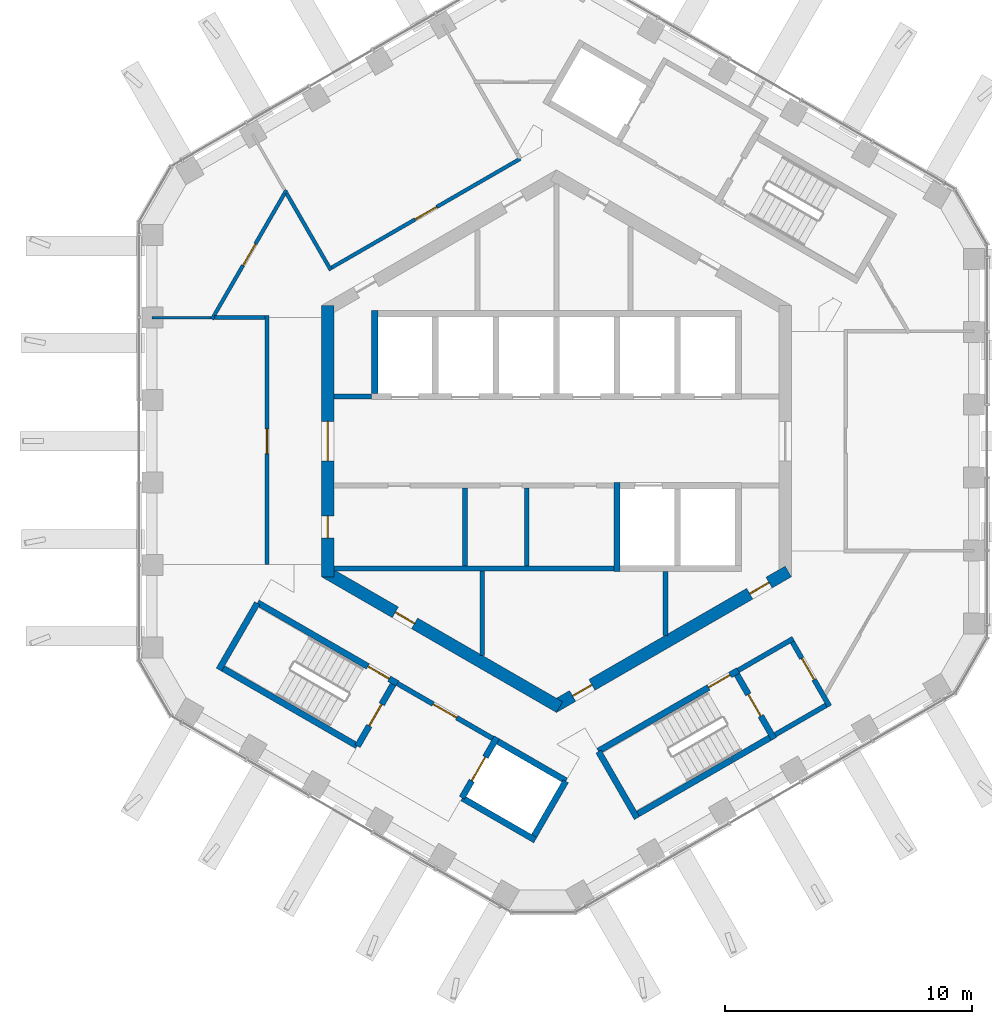
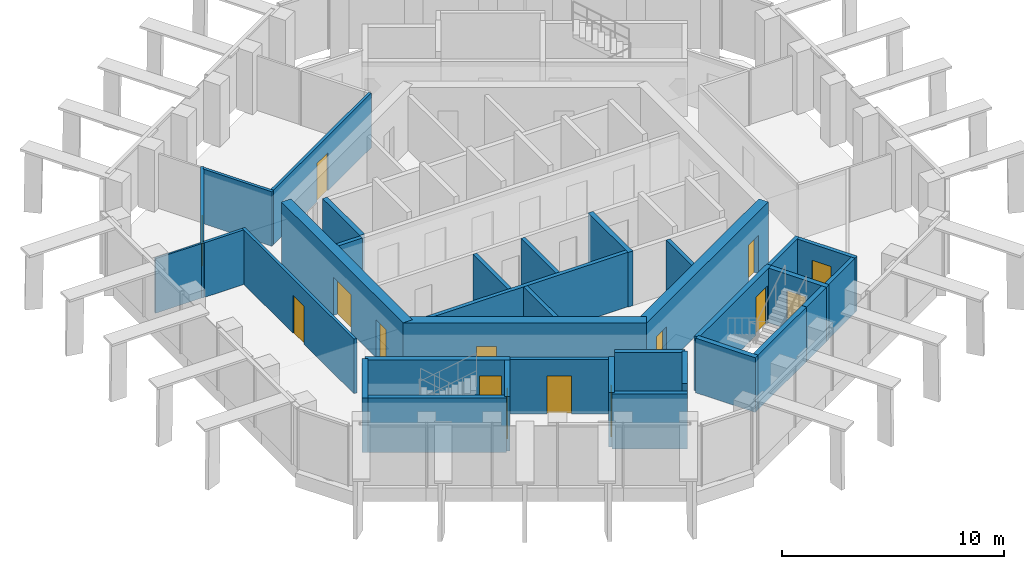
# One storey, part 11 of 17: 34 walls, 15 doors, 15 openings.
"""IFC4 building model written with IfcOpenShell, lengths in metres."""

import ifcopenshell
import ifcopenshell.guid

model = None  # the IFC model being written
_history = None  # IfcOwnerHistory: only IFC2X3 demands one
_inside = {}  # id of a spatial element -> (the spatial element, [elements in it])
_under = {}  # id of a project, library or spatial element -> (it, [spatial elements below it])
_declared = {}  # id of a project -> (the project, [libraries it declares])
_typed = {}  # id of a type object -> (the type object, [elements of that type])
_made_of = {}  # id of a material, layer set ... -> (it, [elements and type objects made of it])


def new_model(schema):
    """Start an empty IFC model of exactly this schema.

    Asked for "IFC4X3", IfcOpenShell would pick the latest addendum, in which some entities
    have other attributes; the version numbers below select the first issue.
    IFC2X3 requires an IfcOwnerHistory on every rooted entity: one is made here for all.
    """
    global model, _history
    if schema == "IFC4X3":
        model = ifcopenshell.file(schema_version=(4, 3, 0, 0))
    else:
        model = ifcopenshell.file(schema=schema)
    _inside.clear()
    _under.clear()
    _declared.clear()
    _typed.clear()
    _made_of.clear()
    _history = None
    if model.schema == "IFC2X3":
        org = make("IfcOrganization", Name="unknown")
        user = make(
            "IfcPersonAndOrganization",
            ThePerson=make("IfcPerson", FamilyName="unknown"),
            TheOrganization=org,
        )
        app = make(
            "IfcApplication",
            ApplicationDeveloper=org,
            Version="unknown",
            ApplicationFullName="unknown",
            ApplicationIdentifier="unknown",
        )
        _history = make(
            "IfcOwnerHistory",
            OwningUser=user,
            OwningApplication=app,
            ChangeAction="ADDED",
            CreationDate=0,
        )
    return model


def make(cls, **values):
    """One entity of the class cls with the attributes given. An attribute that is None is left unset."""
    return model.create_entity(
        cls, **{name: value for name, value in values.items() if value is not None}
    )


def rooted(cls, **values):
    """An entity with a GlobalId (a new one), such as an element, a storey or a relation."""
    return make(cls, GlobalId=ifcopenshell.guid.new(), OwnerHistory=_history, **values)


def si_unit(unit_type, name, prefix=None):
    """IfcSIUnit, for example si_unit("LENGTHUNIT", "METRE", prefix="MILLI")."""
    return make("IfcSIUnit", UnitType=unit_type, Prefix=prefix, Name=name)


def assignment(units):
    """IfcUnitAssignment: the units of a project."""
    return None if units is None else make("IfcUnitAssignment", Units=units)


def point(xyz):
    """IfcCartesianPoint."""
    return None if xyz is None else make("IfcCartesianPoint", Coordinates=xyz)


def direction(xyz):
    """IfcDirection."""
    return None if xyz is None else make("IfcDirection", DirectionRatios=xyz)


def frame(location, z_axis=None, x_axis=None):
    """IfcAxis2Placement3D, a coordinate frame: its origin and axes. An axis left out is left unset."""
    return make(
        "IfcAxis2Placement3D",
        Location=point(location),
        Axis=direction(z_axis),
        RefDirection=direction(x_axis),
    )


def frame_2d(location, x_axis=None):
    """IfcAxis2Placement2D, a coordinate frame in the plane: its origin and x axis."""
    return make(
        "IfcAxis2Placement2D", Location=point(location), RefDirection=direction(x_axis)
    )


def origin():
    """The frame at (0, 0, 0) with its axes left unset."""
    return frame((0.0, 0.0, 0.0))


def place(relative_to, where):
    """IfcLocalPlacement: puts the frame where relative to a parent placement (None: the world)."""
    return make(
        "IfcLocalPlacement", PlacementRelTo=relative_to, RelativePlacement=where
    )


def context(
    kind, dimensions, precision=None, world=None, true_north=None, identifier=None
):
    """IfcGeometricRepresentationContext, for example the 3D "Model" context."""
    return make(
        "IfcGeometricRepresentationContext",
        ContextIdentifier=identifier,
        ContextType=kind,
        CoordinateSpaceDimension=dimensions,
        Precision=precision,
        WorldCoordinateSystem=world,
        TrueNorth=true_north,
    )


def subcontext(parent, identifier, kind, view, scale=None):
    """IfcGeometricRepresentationSubContext, for example "Body" below "Model"."""
    return make(
        "IfcGeometricRepresentationSubContext",
        ContextIdentifier=identifier,
        ContextType=kind,
        ParentContext=parent,
        TargetScale=scale,
        TargetView=view,
    )


def project(units=None, contexts=None):
    """IfcProject with its units and contexts."""
    return rooted(
        "IfcProject",
        Name="project",
        RepresentationContexts=contexts,
        UnitsInContext=assignment(units),
    )


def spatial(cls, under=None, at=None, **own):
    """A site, building, storey or space (cls), placed at a placement, below another one or the project."""
    s = rooted(cls, ObjectPlacement=at, **own)
    if under is not None:
        _under.setdefault(under.id(), (under, []))[1].append(s)
    return s


def profile(cls, at=None, kind="AREA", **sizes):
    """A parametric profile (cls). Its sizes go by their IFC names, for example OverallWidth=200.0."""
    return make(cls, ProfileType=kind, Position=at, **sizes)


def rectangle(**sizes):
    """IfcRectangleProfileDef."""
    return profile("IfcRectangleProfileDef", **sizes)


def extrude(swept, where, along, depth):
    """IfcExtrudedAreaSolid: the profile swept, set in the frame where, extruded along a direction by depth."""
    return make(
        "IfcExtrudedAreaSolid",
        SweptArea=swept,
        Position=where,
        ExtrudedDirection=direction(along),
        Depth=depth,
    )


def shape(context_of_items, identifier, shape_type, items):
    """IfcShapeRepresentation: the items that make up one representation, for example the "Body"."""
    return make(
        "IfcShapeRepresentation",
        ContextOfItems=context_of_items,
        RepresentationIdentifier=identifier,
        RepresentationType=shape_type,
        Items=items,
    )


def material(Name=None, Category=None):
    """IfcMaterial."""
    return make("IfcMaterial", Name=Name, Category=Category)


def layer(
    of_material, thickness, ventilated=None, Name=None, Category=None, Priority=None
):
    """IfcMaterialLayer: one layer of a wall or slab, of a material (None: an air gap)."""
    return make(
        "IfcMaterialLayer",
        Material=of_material,
        LayerThickness=thickness,
        IsVentilated=ventilated,
        Name=Name,
        Category=Category,
        Priority=Priority,
    )


def layer_set(layers, Name=None):
    """IfcMaterialLayerSet."""
    return make("IfcMaterialLayerSet", MaterialLayers=layers, LayerSetName=Name)


def made_of(thing, what):
    """Note that an element or type object is made of a material, layer set ...; save() writes the relation."""
    if what is not None:
        _made_of.setdefault(what.id(), (what, []))[1].append(thing)
    return thing


def type_object(cls, material=None, **own):
    """A type object (cls), such as IfcWallType, which elements share."""
    return made_of(rooted(cls, **own), material)


def element(
    cls,
    number,
    at=None,
    inside=None,
    cuts=None,
    type_object=None,
    material=None,
    context=None,
    identifier="Body",
    shape_type=None,
    held_by="IfcProductDefinitionShape",
    body=None,
    shapes=None,
    **own,
):
    """One element of the class cls, such as IfcWall. Its Tag is "e" and its number.

    at: its placement. inside: the storey or other place that contains it. cuts: it is an
    opening in that element (IfcRelVoidsElement). A single representation is given by context,
    identifier, shape_type and body (its items); several are given by shapes. held_by: the class
    of the entity that holds the representations. save() writes the other relations.
    """
    e = rooted(cls, Tag="e%d" % number, ObjectPlacement=at, **own)
    if body is not None:
        shapes = [shape(context, identifier, shape_type, body)]
    if shapes is not None:
        e.Representation = make(held_by, Representations=shapes)
    if inside is not None:
        _inside.setdefault(inside.id(), (inside, []))[1].append(e)
    if cuts is not None:
        rooted(
            "IfcRelVoidsElement", RelatingBuildingElement=cuts, RelatedOpeningElement=e
        )
    if type_object is not None:
        _typed.setdefault(type_object.id(), (type_object, []))[1].append(e)
    return made_of(e, material)


def fill(opening, filler):
    """IfcRelFillsElement: the door or window that sits in an opening."""
    return rooted(
        "IfcRelFillsElement",
        RelatingOpeningElement=opening,
        RelatedBuildingElement=filler,
    )


def aggregate(whole, parts):
    """IfcRelAggregates: a whole, such as a stair, and the parts it consists of."""
    return rooted("IfcRelAggregates", RelatingObject=whole, RelatedObjects=parts)


def save(model, path):
    """Write the relations noted so far, then the file.

    IfcRelAggregates (storeys below a building ...), IfcRelContainedInSpatialStructure (elements
    in a storey), IfcRelDefinesByType, IfcRelAssociatesMaterial and IfcRelDeclares: one each for
    every whole, place, type object, material and project.
    """
    for whole, parts in _under.values():
        aggregate(whole, parts)
    for where, things in _inside.values():
        rooted(
            "IfcRelContainedInSpatialStructure",
            RelatedElements=things,
            RelatingStructure=where,
        )
    for kind, things in _typed.values():
        rooted("IfcRelDefinesByType", RelatedObjects=things, RelatingType=kind)
    for what, things in _made_of.values():
        rooted("IfcRelAssociatesMaterial", RelatedObjects=things, RelatingMaterial=what)
    for by, libraries in _declared.values():
        rooted("IfcRelDeclares", RelatingContext=by, RelatedDefinitions=libraries)
    model.write(path)


model = new_model("IFC4")

# Units and contexts
model_context = context("Model", 3, precision=1e-05, world=origin(), true_north=direction((0.0, 1.0)))
body_context = subcontext(model_context, "Body", "Model", "MODEL_VIEW")
ifc_project = project(units=[si_unit("LENGTHUNIT", "METRE"), si_unit("AREAUNIT", "SQUARE_METRE"), si_unit("VOLUMEUNIT", "CUBIC_METRE"), si_unit("PLANEANGLEUNIT", "RADIAN"), si_unit("MASSUNIT", "GRAM", prefix="KILO")], contexts=[model_context])

# Site, building, storey
site_placement = place(None, origin())
site = spatial("IfcSite", under=ifc_project, at=site_placement, CompositionType="ELEMENT")
building_placement = place(site_placement, origin())
building = spatial("IfcBuilding", under=site, at=building_placement, Name="Ayvan Gate Tower", CompositionType="ELEMENT")
storey_placement = place(building_placement, frame((0.0, 0.0, 249.5)))
storey = spatial("IfcBuildingStorey", under=building, at=storey_placement, Name="L67", CompositionType="ELEMENT", Elevation=249.5)

# Wall, openings, doors
ifc_material_1 = material(Name="Concrete C60/75", Category="concrete")
ifc_layer_1 = layer(ifc_material_1, 0.5)
ifc_layer_set_1 = layer_set([ifc_layer_1], Name="Concrete C60/75")
wall_type_1 = type_object("IfcWallType", Name="Core wall 500 C60/75", PredefinedType="SHEAR", material=ifc_layer_set_1)
wall_1_placement = place(storey_placement, frame((-9.25, 5.48486328125, 0.0), z_axis=(0.0, 0.0, 1.0), x_axis=(0.0, -1.0, 0.0)))
wall_1 = element("IfcWall", 1, at=wall_1_placement, inside=storey, type_object=wall_type_1, Name="CORE-L67-3", PredefinedType="SHEAR", context=body_context, shape_type="SweptSolid", body=[
    extrude(rectangle(XDim=10.9697265625, YDim=0.5, at=frame_2d((5.48486328125, 0.0))), origin(), (0.0, 0.0, 1.0), 3.39990234375),
])
opening_1_placement = place(wall_1_placement, frame((8.509765625, 0.0, 0.0)))
opening_1 = element("IfcOpeningElement", 2, at=opening_1_placement, cuts=wall_1, Name="Opening L67-D36", PredefinedType="OPENING", context=body_context, shape_type="SweptSolid", body=[
    extrude(rectangle(XDim=0.89990234375, YDim=2.10009765625, at=frame_2d((0.449951171875, 1.050048828125))), frame((0.0, 0.260009765625, 0.0), z_axis=(0.0, -1.0, 0.0), x_axis=(1.0, 0.0, 0.0)), (0.0, 0.0, 1.0), 0.52001953125),
])
opening_2_placement = place(wall_1_placement, frame((4.684814453125, 0.0, 0.0)))
opening_2 = element("IfcOpeningElement", 3, at=opening_2_placement, cuts=wall_1, Name="Opening L67-D38", PredefinedType="OPENING", context=body_context, shape_type="SweptSolid", body=[
    extrude(rectangle(XDim=1.60009765625, YDim=2.10009765625, at=frame_2d((0.800048828125, 1.050048828125))), frame((0.0, 0.260009765625, 0.0), z_axis=(0.0, -1.0, 0.0), x_axis=(1.0, 0.0, 0.0)), (0.0, 0.0, 1.0), 0.52001953125),
])
ifc_material_2 = material(Name="Timber door leaf", Category="wood")
door_type_1 = type_object("IfcDoorType", Name="DT-1600", OperationType="NOTDEFINED", PredefinedType="DOOR", material=ifc_material_2)
door_1_placement = place(opening_2_placement, origin())
door_1 = element("IfcDoor", 4, at=door_1_placement, inside=storey, type_object=door_type_1, Name="CD-L67-38", OperationType="SINGLE_SWING_LEFT", OverallHeight=2.10009765625, OverallWidth=1.60009765625, PredefinedType="DOOR", context=body_context, shape_type="SweptSolid", body=[
    extrude(rectangle(XDim=1.60009765625, YDim=2.10009765625, at=frame_2d((0.800048828125, 1.050048828125))), frame((0.0, 0.02490234375, 0.0), z_axis=(0.0, -1.0, 0.0), x_axis=(1.0, 0.0, 0.0)), (0.0, 0.0, 1.0), 0.050048828125),
])
fill(opening_2, door_1)
door_type_2 = type_object("IfcDoorType", Name="DT-900", OperationType="NOTDEFINED", PredefinedType="DOOR", material=ifc_material_2)
door_2_placement = place(opening_1_placement, origin())
door_2 = element("IfcDoor", 5, at=door_2_placement, inside=storey, type_object=door_type_2, Name="CD-L67-36", OperationType="SINGLE_SWING_LEFT", OverallHeight=2.10009765625, OverallWidth=0.89990234375, PredefinedType="DOOR", context=body_context, shape_type="SweptSolid", body=[
    extrude(rectangle(XDim=0.89990234375, YDim=2.10009765625, at=frame_2d((0.449951171875, 1.050048828125))), frame((0.0, 0.02490234375, 0.0), z_axis=(0.0, -1.0, 0.0), x_axis=(1.0, 0.0, 0.0)), (0.0, 0.0, 1.0), 0.050048828125),
])
fill(opening_1, door_2)

# Wall, opening, door
wall_2_placement = place(storey_placement, frame((-9.375, -5.268310546875, 0.0), z_axis=(0.0, 0.0, 1.0), x_axis=(0.866023993627, -0.500002442456, 0.0)))
wall_2 = element("IfcWall", 6, at=wall_2_placement, inside=storey, type_object=wall_type_1, Name="CORE-L67-4", PredefinedType="SHEAR", context=body_context, shape_type="SweptSolid", body=[
    extrude(rectangle(XDim=10.9697265625, YDim=0.5, at=frame_2d((5.48486328125, 0.0))), origin(), (0.0, 0.0, 1.0), 3.39990234375),
])
opening_3_placement = place(wall_2_placement, frame((3.303466796875, 0.0, 0.0)))
opening_3 = element("IfcOpeningElement", 7, at=opening_3_placement, cuts=wall_2, Name="Opening L67-D33", PredefinedType="OPENING", context=body_context, shape_type="SweptSolid", body=[
    extrude(rectangle(XDim=0.89990234375, YDim=2.10009765625, at=frame_2d((0.449951171875, 1.050048828125))), frame((0.0, 0.260009765625, 0.0), z_axis=(0.0, -1.0, 0.0), x_axis=(1.0, 0.0, 0.0)), (0.0, 0.0, 1.0), 0.52001953125),
])
door_3_placement = place(opening_3_placement, origin())
door_3 = element("IfcDoor", 8, at=door_3_placement, inside=storey, type_object=door_type_2, Name="CD-L67-33", OperationType="SINGLE_SWING_RIGHT", OverallHeight=2.10009765625, OverallWidth=0.89990234375, PredefinedType="DOOR", context=body_context, shape_type="SweptSolid", body=[
    extrude(rectangle(XDim=0.89990234375, YDim=2.10009765625, at=frame_2d((0.449951171875, 1.050048828125))), frame((0.0, 0.02490234375, 0.0), z_axis=(0.0, -1.0, 0.0), x_axis=(1.0, 0.0, 0.0)), (0.0, 0.0, 1.0), 0.050048828125),
])
fill(opening_3, door_3)

# Wall, openings, doors
wall_3_placement = place(storey_placement, frame((-0.125, -10.753173828125, 0.0), z_axis=(0.0, 0.0, 1.0), x_axis=(0.866023993627, 0.500002442456, 0.0)))
wall_3 = element("IfcWall", 9, at=wall_3_placement, inside=storey, type_object=wall_type_1, Name="CORE-L67-5", PredefinedType="SHEAR", context=body_context, shape_type="SweptSolid", body=[
    extrude(rectangle(XDim=10.9697265625, YDim=0.5, at=frame_2d((5.48486328125, 0.0))), origin(), (0.0, 0.0, 1.0), 3.39990234375),
])
opening_4_placement = place(wall_3_placement, frame((0.89990234375, 0.0, 0.0)))
opening_4 = element("IfcOpeningElement", 10, at=opening_4_placement, cuts=wall_3, Name="Opening L67-D34", PredefinedType="OPENING", context=body_context, shape_type="SweptSolid", body=[
    extrude(rectangle(XDim=0.89990234375, YDim=2.10009765625, at=frame_2d((0.449951171875, 1.050048828125))), frame((0.0, 0.260009765625, 0.0), z_axis=(0.0, -1.0, 0.0), x_axis=(1.0, 0.0, 0.0)), (0.0, 0.0, 1.0), 0.52001953125),
])
opening_5_placement = place(wall_3_placement, frame((9.169677734375, 0.0, 0.0)))
opening_5 = element("IfcOpeningElement", 11, at=opening_5_placement, cuts=wall_3, Name="Opening L67-D35", PredefinedType="OPENING", context=body_context, shape_type="SweptSolid", body=[
    extrude(rectangle(XDim=0.89990234375, YDim=2.10009765625, at=frame_2d((0.449951171875, 1.050048828125))), frame((0.0, 0.260009765625, 0.0), z_axis=(0.0, -1.0, 0.0), x_axis=(1.0, 0.0, 0.0)), (0.0, 0.0, 1.0), 0.52001953125),
])
door_4_placement = place(opening_4_placement, origin())
door_4 = element("IfcDoor", 12, at=door_4_placement, inside=storey, type_object=door_type_2, Name="CD-L67-34", OperationType="SINGLE_SWING_LEFT", OverallHeight=2.10009765625, OverallWidth=0.89990234375, PredefinedType="DOOR", context=body_context, shape_type="SweptSolid", body=[
    extrude(rectangle(XDim=0.89990234375, YDim=2.10009765625, at=frame_2d((0.449951171875, 1.050048828125))), frame((0.0, 0.02490234375, 0.0), z_axis=(0.0, -1.0, 0.0), x_axis=(1.0, 0.0, 0.0)), (0.0, 0.0, 1.0), 0.050048828125),
])
fill(opening_4, door_4)
door_5_placement = place(opening_5_placement, origin())
door_5 = element("IfcDoor", 13, at=door_5_placement, inside=storey, type_object=door_type_2, Name="CD-L67-35", OperationType="SINGLE_SWING_RIGHT", OverallHeight=2.10009765625, OverallWidth=0.89990234375, PredefinedType="DOOR", context=body_context, shape_type="SweptSolid", body=[
    extrude(rectangle(XDim=0.89990234375, YDim=2.10009765625, at=frame_2d((0.449951171875, 1.050048828125))), frame((0.0, 0.02490234375, 0.0), z_axis=(0.0, -1.0, 0.0), x_axis=(1.0, 0.0, 0.0)), (0.0, 0.0, 1.0), 0.050048828125),
])
fill(opening_5, door_5)

# Wall, opening, door
ifc_material_3 = material(Name="Plasterboard on steel stud", Category="steel")
ifc_layer_2 = layer(ifc_material_3, 0.14990234375)
ifc_layer_set_2 = layer_set([ifc_layer_2], Name="Plasterboard on steel stud")
wall_type_2 = type_object("IfcWallType", Name="WT-CORR-150", PredefinedType="PARTITIONING", material=ifc_layer_set_2)
wall_4_placement = place(storey_placement, frame((-13.927978515625, 4.930908203125, 0.0), z_axis=(0.0, 0.0, 1.0), x_axis=(0.499980697609, 0.866036547738, 0.0)))
wall_4 = element("IfcWall", 14, at=wall_4_placement, inside=storey, type_object=wall_type_2, Name="IW-L67-001", PredefinedType="PARTITIONING", context=body_context, shape_type="SweptSolid", body=[
    extrude(rectangle(XDim=6.028564453125, YDim=0.14990234375, at=frame_2d((3.01416015625, 0.0))), origin(), (0.0, 0.0, 1.0), 3.0),
])
opening_6_placement = place(wall_4_placement, frame((2.514404296875, 0.0, 0.0)))
opening_6 = element("IfcOpeningElement", 15, at=opening_6_placement, cuts=wall_4, Name="Opening L67-D25", PredefinedType="OPENING", context=body_context, shape_type="SweptSolid", body=[
    extrude(rectangle(XDim=1.0, YDim=2.10009765625, at=frame_2d((0.5, 1.050048828125))), frame((0.0, 0.0849609375, 0.0), z_axis=(0.0, -1.0, 0.0), x_axis=(1.0, 0.0, 0.0)), (0.0, 0.0, 1.0), 0.169921875),
])
door_type_3 = type_object("IfcDoorType", Name="DT-1000", OperationType="NOTDEFINED", PredefinedType="DOOR", material=ifc_material_2)
door_6_placement = place(opening_6_placement, origin())
door_6 = element("IfcDoor", 16, at=door_6_placement, inside=storey, type_object=door_type_3, Name="ID-L67-025", OperationType="SINGLE_SWING_RIGHT", OverallHeight=2.10009765625, OverallWidth=1.0, PredefinedType="DOOR", context=body_context, shape_type="SweptSolid", body=[
    extrude(rectangle(XDim=1.0, YDim=2.10009765625, at=frame_2d((0.5, 1.050048828125))), frame((0.0, 0.02490234375, 0.0), z_axis=(0.0, -1.0, 0.0), x_axis=(1.0, 0.0, 0.0)), (0.0, 0.0, 1.0), 0.050048828125),
])
fill(opening_6, door_6)

wall_5_placement = place(storey_placement, frame((-11.699951171875, -4.995849609375, 0.0), z_axis=(0.0, 0.0, 1.0), x_axis=(0.0, 1.0, 0.0)))
wall_5 = element("IfcWall", 17, at=wall_5_placement, inside=storey, type_object=wall_type_2, Name="IW-L67-005", PredefinedType="PARTITIONING", context=body_context, shape_type="SweptSolid", body=[
    extrude(rectangle(XDim=10.066650390625, YDim=0.14990234375, at=frame_2d((5.033203125, 0.0))), origin(), (0.0, 0.0, 1.0), 3.0),
])
opening_7_placement = place(wall_5_placement, frame((4.495361328125, 0.0, 0.0)))
opening_7 = element("IfcOpeningElement", 18, at=opening_7_placement, cuts=wall_5, Name="Opening L67-D26", PredefinedType="OPENING", context=body_context, shape_type="SweptSolid", body=[
    extrude(rectangle(XDim=1.0, YDim=2.10009765625, at=frame_2d((0.5, 1.050048828125))), frame((0.0, 0.0849609375, 0.0), z_axis=(0.0, -1.0, 0.0), x_axis=(1.0, 0.0, 0.0)), (0.0, 0.0, 1.0), 0.169921875),
])
door_7_placement = place(opening_7_placement, origin())
door_7 = element("IfcDoor", 19, at=door_7_placement, inside=storey, type_object=door_type_3, Name="ID-L67-026", OperationType="SINGLE_SWING_LEFT", OverallHeight=2.10009765625, OverallWidth=1.0, PredefinedType="DOOR", context=body_context, shape_type="SweptSolid", body=[
    extrude(rectangle(XDim=1.0, YDim=2.10009765625, at=frame_2d((0.5, 1.050048828125))), frame((0.0, 0.02490234375, 0.0), z_axis=(0.0, -1.0, 0.0), x_axis=(1.0, 0.0, 0.0)), (0.0, 0.0, 1.0), 0.050048828125),
])
fill(opening_7, door_7)

# Walls
wall_6_placement = place(storey_placement, frame((-11.77490234375, 4.995849609375, 0.0), z_axis=(0.0, 0.0, 1.0), x_axis=(-1.0, 0.0, 0.0)))
element("IfcWall", 20, at=wall_6_placement, inside=storey, type_object=wall_type_2, Name="IW-L67-006", PredefinedType="PARTITIONING", context=body_context, shape_type="SweptSolid", body=[
    extrude(rectangle(XDim=2.040771484375, YDim=0.14990234375, at=frame_2d((1.0205078125, 0.0))), origin(), (0.0, 0.0, 1.0), 3.0),
])
wall_7_placement = place(storey_placement, frame((-10.913818359375, 10.02197265625, 0.0), z_axis=(0.0, 0.0, 1.0), x_axis=(0.499955890556, -0.866050868886, 0.0)))
element("IfcWall", 21, at=wall_7_placement, inside=storey, type_object=wall_type_2, Name="IW-L67-007", PredefinedType="PARTITIONING", context=body_context, shape_type="SweptSolid", body=[
    extrude(rectangle(XDim=3.591064453125, YDim=0.14990234375, at=frame_2d((1.79541015625, 0.0))), origin(), (0.0, 0.0, 1.0), 3.0),
])

# Wall, opening, door
wall_8_placement = place(storey_placement, frame((-9.0908203125, 7.014404296875, 0.0), z_axis=(0.0, 0.0, 1.0), x_axis=(0.866035548006, 0.499982429281, 0.0)))
wall_8 = element("IfcWall", 22, at=wall_8_placement, inside=storey, type_object=wall_type_2, Name="IW-L67-008", PredefinedType="PARTITIONING", context=body_context, shape_type="SweptSolid", body=[
    extrude(rectangle(XDim=8.806396484375, YDim=0.14990234375, at=frame_2d((4.4033203125, 0.0))), origin(), (0.0, 0.0, 1.0), 3.0),
])
opening_8_placement = place(wall_8_placement, frame((3.9033203125, 0.0, 0.0)))
opening_8 = element("IfcOpeningElement", 23, at=opening_8_placement, cuts=wall_8, Name="Opening L67-D28", PredefinedType="OPENING", context=body_context, shape_type="SweptSolid", body=[
    extrude(rectangle(XDim=1.0, YDim=2.10009765625, at=frame_2d((0.5, 1.050048828125))), frame((0.0, 0.0849609375, 0.0), z_axis=(0.0, -1.0, 0.0), x_axis=(1.0, 0.0, 0.0)), (0.0, 0.0, 1.0), 0.169921875),
])
door_8_placement = place(opening_8_placement, origin())
door_8 = element("IfcDoor", 24, at=door_8_placement, inside=storey, type_object=door_type_3, Name="ID-L67-028", OperationType="SINGLE_SWING_LEFT", OverallHeight=2.10009765625, OverallWidth=1.0, PredefinedType="DOOR", context=body_context, shape_type="SweptSolid", body=[
    extrude(rectangle(XDim=1.0, YDim=2.10009765625, at=frame_2d((0.5, 1.050048828125))), frame((0.0, 0.02490234375, 0.0), z_axis=(0.0, -1.0, 0.0), x_axis=(1.0, 0.0, 0.0)), (0.0, 0.0, 1.0), 0.050048828125),
])
fill(opening_8, door_8)

# Walls
ifc_layer_3 = layer(ifc_material_3, 0.10009765625)
ifc_layer_set_3 = layer_set([ifc_layer_3], Name="Plasterboard on steel stud")
wall_type_3 = type_object("IfcWallType", Name="WT-PART-100", PredefinedType="PARTITIONING", material=ifc_layer_set_3)
wall_9_placement = place(storey_placement, frame((-13.965576171875, 4.995849609375, 0.0), z_axis=(0.0, 0.0, 1.0), x_axis=(-1.0, 0.0, 0.0)))
element("IfcWall", 25, at=wall_9_placement, inside=storey, type_object=wall_type_3, Name="IW-L67-000", PredefinedType="PARTITIONING", context=body_context, shape_type="SweptSolid", body=[
    extrude(rectangle(XDim=2.387939453125, YDim=0.10009765625, at=frame_2d((1.19384765625, 0.0))), origin(), (0.0, 0.0, 1.0), 3.0),
])
ifc_layer_4 = layer(ifc_material_3, 0.199951171875)
ifc_layer_set_4 = layer_set([ifc_layer_4], Name="Plasterboard on steel stud")
wall_type_4 = type_object("IfcWallType", Name="WT-RATED-200", PredefinedType="PARTITIONING", material=ifc_layer_set_4)
wall_10_placement = place(storey_placement, frame((-9.0, 1.800048828125, 0.0), z_axis=(0.0, 0.0, 1.0), x_axis=(1.0, 0.0, 0.0)))
element("IfcWall", 26, at=wall_10_placement, inside=storey, type_object=wall_type_4, Name="IW-L67-009", PredefinedType="PARTITIONING", context=body_context, shape_type="SweptSolid", body=[
    extrude(rectangle(XDim=1.525146484375, YDim=0.199951171875, at=frame_2d((0.7626953125, 0.0))), origin(), (0.0, 0.0, 1.0), 3.0),
])
wall_11_placement = place(storey_placement, frame((-9.0, -5.14990234375, 0.0), z_axis=(0.0, 0.0, 1.0), x_axis=(1.0, 0.0, 0.0)))
element("IfcWall", 27, at=wall_11_placement, inside=storey, type_object=wall_type_4, Name="IW-L67-010", PredefinedType="PARTITIONING", context=body_context, shape_type="SweptSolid", body=[
    extrude(rectangle(XDim=11.3251953125, YDim=0.199951171875, at=frame_2d((5.66259765625, 0.0))), origin(), (0.0, 0.0, 1.0), 3.0),
])

# Wall, opening, door
wall_12_placement = place(storey_placement, frame((-6.4345703125, -9.794921875, 0.0), z_axis=(0.0, 0.0, 1.0), x_axis=(0.866012907634, -0.500021643343, 0.0)))
wall_12 = element("IfcWall", 28, at=wall_12_placement, inside=storey, type_object=wall_type_4, Name="IW-L67-016", PredefinedType="PARTITIONING", context=body_context, shape_type="SweptSolid", body=[
    extrude(rectangle(XDim=4.449951171875, YDim=0.199951171875, at=frame_2d((2.22509765625, 0.0))), origin(), (0.0, 0.0, 1.0), 3.0),
])
opening_9_placement = place(wall_12_placement, frame((1.675048828125, 0.0, 0.0)))
opening_9 = element("IfcOpeningElement", 29, at=opening_9_placement, cuts=wall_12, Name="Opening L67-D17", PredefinedType="OPENING", context=body_context, shape_type="SweptSolid", body=[
    extrude(rectangle(XDim=1.10009765625, YDim=2.10009765625, at=frame_2d((0.550048828125, 1.050048828125))), frame((0.0, 0.10986328125, 0.0), z_axis=(0.0, -1.0, 0.0), x_axis=(1.0, 0.0, 0.0)), (0.0, 0.0, 1.0), 0.219970703125),
])
door_type_4 = type_object("IfcDoorType", Name="DT-1100", OperationType="NOTDEFINED", PredefinedType="DOOR", material=ifc_material_2)
door_9_placement = place(opening_9_placement, origin())
door_9 = element("IfcDoor", 30, at=door_9_placement, inside=storey, type_object=door_type_4, Name="ID-L67-017", OperationType="SINGLE_SWING_RIGHT", OverallHeight=2.10009765625, OverallWidth=1.10009765625, PredefinedType="DOOR", context=body_context, shape_type="SweptSolid", body=[
    extrude(rectangle(XDim=1.10009765625, YDim=2.10009765625, at=frame_2d((0.550048828125, 1.050048828125))), frame((0.0, 0.02490234375, 0.0), z_axis=(0.0, -1.0, 0.0), x_axis=(1.0, 0.0, 0.0)), (0.0, 0.0, 1.0), 0.050048828125),
])
fill(opening_9, door_9)

# Walls
wall_13_placement = place(storey_placement, frame((-3.699951171875, -1.89990234375, 0.0), z_axis=(0.0, 0.0, 1.0), x_axis=(0.0, -1.0, 0.0)))
element("IfcWall", 31, at=wall_13_placement, inside=storey, type_object=wall_type_4, Name="IW-L67-018", PredefinedType="PARTITIONING", context=body_context, shape_type="SweptSolid", body=[
    extrude(rectangle(XDim=3.150146484375, YDim=0.199951171875, at=frame_2d((1.5751953125, 0.0))), origin(), (0.0, 0.0, 1.0), 3.0),
])
wall_14_placement = place(storey_placement, frame((-3.0, -5.25, 0.0), z_axis=(0.0, 0.0, 1.0), x_axis=(0.0, -1.0, 0.0)))
element("IfcWall", 32, at=wall_14_placement, inside=storey, type_object=wall_type_4, Name="IW-L67-023", PredefinedType="PARTITIONING", context=body_context, shape_type="SweptSolid", body=[
    extrude(rectangle(XDim=3.410400390625, YDim=0.199951171875, at=frame_2d((1.705078125, 0.0))), origin(), (0.0, 0.0, 1.0), 3.0),
])
wall_15_placement = place(storey_placement, frame((-1.199951171875, -1.89990234375, 0.0), z_axis=(0.0, 0.0, 1.0), x_axis=(0.0, -1.0, 0.0)))
element("IfcWall", 33, at=wall_15_placement, inside=storey, type_object=wall_type_4, Name="IW-L67-029", PredefinedType="PARTITIONING", context=body_context, shape_type="SweptSolid", body=[
    extrude(rectangle(XDim=3.150146484375, YDim=0.199951171875, at=frame_2d((1.5751953125, 0.0))), origin(), (0.0, 0.0, 1.0), 3.0),
])
wall_16_placement = place(storey_placement, frame((4.39990234375, -5.27490234375, 0.0), z_axis=(0.0, 0.0, 1.0), x_axis=(0.0, -1.0, 0.0)))
element("IfcWall", 34, at=wall_16_placement, inside=storey, type_object=wall_type_4, Name="IW-L67-045", PredefinedType="PARTITIONING", context=body_context, shape_type="SweptSolid", body=[
    extrude(rectangle(XDim=2.5771484375, YDim=0.199951171875, at=frame_2d((1.28857421875, 0.0))), origin(), (0.0, 0.0, 1.0), 3.0),
])
wall_17_placement = place(storey_placement, frame((7.343994140625, -9.27001953125, 0.0), z_axis=(0.0, 0.0, 1.0), x_axis=(0.866005588531, 0.500034319456, 0.0)))
element("IfcWall", 35, at=wall_17_placement, inside=storey, type_object=wall_type_4, Name="IW-L67-054", PredefinedType="PARTITIONING", context=body_context, shape_type="SweptSolid", body=[
    extrude(rectangle(XDim=2.574951171875, YDim=0.199951171875, at=frame_2d((1.28759765625, 0.0))), origin(), (0.0, 0.0, 1.0), 3.0),
])

# Wall, opening, door
wall_18_placement = place(storey_placement, frame((9.537353515625, -8.119140625, 0.0), z_axis=(0.0, 0.0, 1.0), x_axis=(0.499990139034, -0.866031096941, 0.0)))
wall_18 = element("IfcWall", 36, at=wall_18_placement, inside=storey, type_object=wall_type_4, Name="IW-L67-063", PredefinedType="PARTITIONING", context=body_context, shape_type="SweptSolid", body=[
    extrude(rectangle(XDim=3.0, YDim=0.199951171875, at=frame_2d((1.5, 0.0))), origin(), (0.0, 0.0, 1.0), 3.0),
])
opening_10_placement = place(wall_18_placement, frame((0.7578125, 0.0, 0.0)))
opening_10 = element("IfcOpeningElement", 37, at=opening_10_placement, cuts=wall_18, Name="Opening L67-D20", PredefinedType="OPENING", context=body_context, shape_type="SweptSolid", body=[
    extrude(rectangle(XDim=1.0, YDim=2.10009765625, at=frame_2d((0.5, 1.050048828125))), frame((0.0, 0.10986328125, 0.0), z_axis=(0.0, -1.0, 0.0), x_axis=(1.0, 0.0, 0.0)), (0.0, 0.0, 1.0), 0.219970703125),
])
door_10_placement = place(opening_10_placement, origin())
door_10 = element("IfcDoor", 38, at=door_10_placement, inside=storey, type_object=door_type_3, Name="ID-L67-020", OperationType="SINGLE_SWING_LEFT", OverallHeight=2.10009765625, OverallWidth=1.0, PredefinedType="DOOR", context=body_context, shape_type="SweptSolid", body=[
    extrude(rectangle(XDim=1.0, YDim=2.10009765625, at=frame_2d((0.5, 1.050048828125))), frame((0.0, 0.02490234375, 0.0), z_axis=(0.0, -1.0, 0.0), x_axis=(1.0, 0.0, 0.0)), (0.0, 0.0, 1.0), 0.050048828125),
])
fill(opening_10, door_10)

# Walls
wall_19_placement = place(storey_placement, frame((10.900634765625, -10.6806640625, 0.0), z_axis=(0.0, 0.0, 1.0), x_axis=(-0.866007538022, -0.500030943131, 0.0)))
element("IfcWall", 39, at=wall_19_placement, inside=storey, type_object=wall_type_4, Name="IW-L67-064", PredefinedType="PARTITIONING", context=body_context, shape_type="SweptSolid", body=[
    extrude(rectangle(XDim=2.374755859375, YDim=0.199951171875, at=frame_2d((1.1875, 0.0))), origin(), (0.0, 0.0, 1.0), 3.0),
])
ifc_material_4 = material(Name="Concrete C50/60", Category="concrete")
ifc_layer_5 = layer(ifc_material_4, 0.25)
ifc_layer_set_5 = layer_set([ifc_layer_5], Name="Concrete C50/60")
wall_type_5 = type_object("IfcWallType", Name="WT-RC-250", PredefinedType="SHEAR", material=ifc_layer_set_5)
wall_20_placement = place(storey_placement, frame((-13.64794921875, -9.23876953125, 0.0), z_axis=(0.0, 0.0, 1.0), x_axis=(0.500003782172, 0.866023220135, 0.0)))
element("IfcWall", 40, at=wall_20_placement, inside=storey, type_object=wall_type_5, Name="IW-L67-002", PredefinedType="SHEAR", context=body_context, shape_type="SweptSolid", body=[
    extrude(rectangle(XDim=3.10498046875, YDim=0.25, at=frame_2d((1.552490234375, 0.0))), origin(), (0.0, 0.0, 1.0), 3.0),
])

# Wall, opening, door
wall_21_placement = place(storey_placement, frame((-12.08544921875, -6.532470703125, 0.0), z_axis=(0.0, 0.0, 1.0), x_axis=(0.866031063448, -0.499990197047, 0.0)))
wall_21 = element("IfcWall", 41, at=wall_21_placement, inside=storey, type_object=wall_type_5, Name="IW-L67-004", PredefinedType="SHEAR", context=body_context, shape_type="SweptSolid", body=[
    extrude(rectangle(XDim=6.525146484375, YDim=0.25, at=frame_2d((3.2626953125, 0.0))), origin(), (0.0, 0.0, 1.0), 3.0),
])
opening_11_placement = place(wall_21_placement, frame((5.14990234375, 0.0, 0.0)))
opening_11 = element("IfcOpeningElement", 42, at=opening_11_placement, cuts=wall_21, Name="Opening L67-D15", PredefinedType="OPENING", context=body_context, shape_type="SweptSolid", body=[
    extrude(rectangle(XDim=1.0, YDim=2.10009765625, at=frame_2d((0.5, 1.050048828125))), frame((0.0, 0.135009765625, 0.0), z_axis=(0.0, -1.0, 0.0), x_axis=(1.0, 0.0, 0.0)), (0.0, 0.0, 1.0), 0.27001953125),
])
door_11_placement = place(opening_11_placement, origin())
door_11 = element("IfcDoor", 43, at=door_11_placement, inside=storey, type_object=door_type_3, Name="ID-L67-015", OperationType="SINGLE_SWING_RIGHT", OverallHeight=2.10009765625, OverallWidth=1.0, PredefinedType="DOOR", context=body_context, shape_type="SweptSolid", body=[
    extrude(rectangle(XDim=1.0, YDim=2.10009765625, at=frame_2d((0.5, 1.050048828125))), frame((0.0, 0.02490234375, 0.0), z_axis=(0.0, -1.0, 0.0), x_axis=(1.0, 0.0, 0.0)), (0.0, 0.0, 1.0), 0.050048828125),
])
fill(opening_11, door_11)

# Walls
wall_22_placement = place(storey_placement, frame((-8.06005859375, -12.320556640625, 0.0), z_axis=(0.0, 0.0, 1.0), x_axis=(-0.866029591389, 0.499992746786, 0.0)))
element("IfcWall", 44, at=wall_22_placement, inside=storey, type_object=wall_type_5, Name="IW-L67-011", PredefinedType="SHEAR", context=body_context, shape_type="SweptSolid", body=[
    extrude(rectangle(XDim=6.2548828125, YDim=0.25, at=frame_2d((3.12744140625, 0.0))), origin(), (0.0, 0.0, 1.0), 3.0),
])
wall_23_placement = place(storey_placement, frame((-7.35009765625, 1.925048828125, 0.0), z_axis=(0.0, 0.0, 1.0), x_axis=(0.0, 1.0, 0.0)))
element("IfcWall", 45, at=wall_23_placement, inside=storey, type_object=wall_type_5, Name="IW-L67-013", PredefinedType="SHEAR", context=body_context, shape_type="SweptSolid", body=[
    extrude(rectangle(XDim=3.349853515625, YDim=0.25, at=frame_2d((1.6748046875, 0.0))), origin(), (0.0, 0.0, 1.0), 3.0),
])

# Wall, opening, door
wall_24_placement = place(storey_placement, frame((-6.605224609375, -9.8408203125, 0.0), z_axis=(0.0, 0.0, 1.0), x_axis=(-0.500011588718, -0.866018712932, 0.0)))
wall_24 = element("IfcWall", 46, at=wall_24_placement, inside=storey, type_object=wall_type_5, Name="IW-L67-015", PredefinedType="SHEAR", context=body_context, shape_type="SweptSolid", body=[
    extrude(rectangle(XDim=2.875, YDim=0.25, at=frame_2d((1.4375, 0.0))), origin(), (0.0, 0.0, 1.0), 3.0),
])
opening_12_placement = place(wall_24_placement, frame((0.923095703125, 0.0, 0.0)))
opening_12 = element("IfcOpeningElement", 47, at=opening_12_placement, cuts=wall_24, Name="Opening L67-D16", PredefinedType="OPENING", context=body_context, shape_type="SweptSolid", body=[
    extrude(rectangle(XDim=1.0, YDim=2.10009765625, at=frame_2d((0.5, 1.050048828125))), frame((0.0, 0.135009765625, 0.0), z_axis=(0.0, -1.0, 0.0), x_axis=(1.0, 0.0, 0.0)), (0.0, 0.0, 1.0), 0.27001953125),
])
door_12_placement = place(opening_12_placement, origin())
door_12 = element("IfcDoor", 48, at=door_12_placement, inside=storey, type_object=door_type_3, Name="ID-L67-016", OperationType="SINGLE_SWING_LEFT", OverallHeight=2.10009765625, OverallWidth=1.0, PredefinedType="DOOR", context=body_context, shape_type="SweptSolid", body=[
    extrude(rectangle(XDim=1.0, YDim=2.10009765625, at=frame_2d((0.5, 1.050048828125))), frame((0.0, 0.02490234375, 0.0), z_axis=(0.0, -1.0, 0.0), x_axis=(1.0, 0.0, 0.0)), (0.0, 0.0, 1.0), 0.050048828125),
])
fill(opening_12, door_12)

wall_25_placement = place(storey_placement, frame((-2.409912109375, -11.97412109375, 0.0), z_axis=(0.0, 0.0, 1.0), x_axis=(-0.49998675294, -0.866033051843, 0.0)))
wall_25 = element("IfcWall", 49, at=wall_25_placement, inside=storey, type_object=wall_type_5, Name="IW-L67-024", PredefinedType="SHEAR", context=body_context, shape_type="SweptSolid", body=[
    extrude(rectangle(XDim=2.8251953125, YDim=0.25, at=frame_2d((1.41259765625, 0.0))), origin(), (0.0, 0.0, 1.0), 3.0),
])
opening_13_placement = place(wall_25_placement, frame((0.925537109375, 0.0, 0.0)))
opening_13 = element("IfcOpeningElement", 50, at=opening_13_placement, cuts=wall_25, Name="Opening L67-LD-FF2", PredefinedType="OPENING", context=body_context, shape_type="SweptSolid", body=[
    extrude(rectangle(XDim=1.10009765625, YDim=2.10009765625, at=frame_2d((0.550048828125, 1.050048828125))), frame((0.0, 0.135009765625, 0.0), z_axis=(0.0, -1.0, 0.0), x_axis=(1.0, 0.0, 0.0)), (0.0, 0.0, 1.0), 0.27001953125),
])
ifc_material_5 = material(Name="Stainless steel landing door", Category="steel")
door_type_5 = type_object("IfcDoorType", Name="DT-LANDING-1100", OperationType="SLIDING_TO_LEFT", PredefinedType="DOOR", material=ifc_material_5)
door_13_placement = place(opening_13_placement, origin())
door_13 = element("IfcDoor", 51, at=door_13_placement, inside=storey, type_object=door_type_5, Name="ID-L67-018", OperationType="SLIDING_TO_LEFT", OverallHeight=2.10009765625, OverallWidth=1.10009765625, PredefinedType="DOOR", context=body_context, shape_type="SweptSolid", body=[
    extrude(rectangle(XDim=1.10009765625, YDim=2.10009765625, at=frame_2d((0.550048828125, 1.050048828125))), frame((0.0, 0.02490234375, 0.0), z_axis=(0.0, -1.0, 0.0), x_axis=(1.0, 0.0, 0.0)), (0.0, 0.0, 1.0), 0.050048828125),
])
fill(opening_13, door_13)

# Walls
wall_26_placement = place(storey_placement, frame((-2.3642578125, -12.14501953125, 0.0), z_axis=(0.0, 0.0, 1.0), x_axis=(0.866048579423, -0.499959856469, 0.0)))
element("IfcWall", 52, at=wall_26_placement, inside=storey, type_object=wall_type_5, Name="IW-L67-025", PredefinedType="SHEAR", context=body_context, shape_type="SweptSolid", body=[
    extrude(rectangle(XDim=3.175048828125, YDim=0.25, at=frame_2d((1.58740234375, 0.0))), origin(), (0.0, 0.0, 1.0), 3.39990234375),
])
wall_27_placement = place(storey_placement, frame((-0.8564453125, -16.13330078125, 0.0), z_axis=(0.0, 0.0, 1.0), x_axis=(-0.866032748241, 0.499987278812, 0.0)))
element("IfcWall", 53, at=wall_27_placement, inside=storey, type_object=wall_type_5, Name="IW-L67-030", PredefinedType="SHEAR", context=body_context, shape_type="SweptSolid", body=[
    extrude(rectangle(XDim=3.40478515625, YDim=0.25, at=frame_2d((1.702392578125, 0.0))), origin(), (0.0, 0.0, 1.0), 3.0),
])
wall_28_placement = place(storey_placement, frame((0.37548828125, -13.749755859375, 0.0), z_axis=(0.0, 0.0, 1.0), x_axis=(-0.50003400563, -0.866005769735, 0.0)))
element("IfcWall", 54, at=wall_28_placement, inside=storey, type_object=wall_type_5, Name="IW-L67-034", PredefinedType="SHEAR", context=body_context, shape_type="SweptSolid", body=[
    extrude(rectangle(XDim=2.554931640625, YDim=0.25, at=frame_2d((1.27734375, 0.0))), origin(), (0.0, 0.0, 1.0), 3.39990234375),
])

# Wall, opening, door
wall_29_placement = place(storey_placement, frame((1.693115234375, -12.532470703125, 0.0), z_axis=(0.0, 0.0, 1.0), x_axis=(0.866031063448, 0.499990197047, 0.0)))
wall_29 = element("IfcWall", 55, at=wall_29_placement, inside=storey, type_object=wall_type_5, Name="IW-L67-036", PredefinedType="SHEAR", context=body_context, shape_type="SweptSolid", body=[
    extrude(rectangle(XDim=6.525146484375, YDim=0.25, at=frame_2d((3.2626953125, 0.0))), origin(), (0.0, 0.0, 1.0), 3.0),
])
opening_14_placement = place(wall_29_placement, frame((5.14990234375, 0.0, 0.0)))
opening_14 = element("IfcOpeningElement", 56, at=opening_14_placement, cuts=wall_29, Name="Opening L67-D19", PredefinedType="OPENING", context=body_context, shape_type="SweptSolid", body=[
    extrude(rectangle(XDim=1.0, YDim=2.10009765625, at=frame_2d((0.5, 1.050048828125))), frame((0.0, 0.135009765625, 0.0), z_axis=(0.0, -1.0, 0.0), x_axis=(1.0, 0.0, 0.0)), (0.0, 0.0, 1.0), 0.27001953125),
])
door_14_placement = place(opening_14_placement, origin())
door_14 = element("IfcDoor", 57, at=door_14_placement, inside=storey, type_object=door_type_3, Name="ID-L67-019", OperationType="SINGLE_SWING_RIGHT", OverallHeight=2.10009765625, OverallWidth=1.0, PredefinedType="DOOR", context=body_context, shape_type="SweptSolid", body=[
    extrude(rectangle(XDim=1.0, YDim=2.10009765625, at=frame_2d((0.5, 1.050048828125))), frame((0.0, 0.02490234375, 0.0), z_axis=(0.0, -1.0, 0.0), x_axis=(1.0, 0.0, 0.0)), (0.0, 0.0, 1.0), 0.050048828125),
])
fill(opening_14, door_14)

# Walls
wall_30_placement = place(storey_placement, frame((2.449951171875, -5.27490234375, 0.0), z_axis=(0.0, 0.0, 1.0), x_axis=(0.0, 1.0, 0.0)))
element("IfcWall", 58, at=wall_30_placement, inside=storey, type_object=wall_type_5, Name="IW-L67-037", PredefinedType="SHEAR", context=body_context, shape_type="SweptSolid", body=[
    extrude(rectangle(XDim=3.599853515625, YDim=0.25, at=frame_2d((1.7998046875, 0.0))), origin(), (0.0, 0.0, 1.0), 3.0),
])
wall_31_placement = place(storey_placement, frame((3.255615234375, -15.23876953125, 0.0), z_axis=(0.0, 0.0, 1.0), x_axis=(-0.500003782172, 0.866023220135, 0.0)))
element("IfcWall", 59, at=wall_31_placement, inside=storey, type_object=wall_type_5, Name="IW-L67-042", PredefinedType="SHEAR", context=body_context, shape_type="SweptSolid", body=[
    extrude(rectangle(XDim=3.10498046875, YDim=0.25, at=frame_2d((1.552490234375, 0.0))), origin(), (0.0, 0.0, 1.0), 3.0),
])
wall_32_placement = place(storey_placement, frame((7.07275390625, -12.890625, 0.0), z_axis=(0.0, 0.0, 1.0), x_axis=(-0.866023145199, -0.500003911965, 0.0)))
element("IfcWall", 60, at=wall_32_placement, inside=storey, type_object=wall_type_5, Name="IW-L67-052", PredefinedType="SHEAR", context=body_context, shape_type="SweptSolid", body=[
    extrude(rectangle(XDim=4.35498046875, YDim=0.25, at=frame_2d((2.177490234375, 0.0))), origin(), (0.0, 0.0, 1.0), 3.0),
])

# Wall, opening, door
wall_33_placement = place(storey_placement, frame((7.298095703125, -9.44091796875, 0.0), z_axis=(0.0, 0.0, 1.0), x_axis=(0.50002537861, -0.866010750942, 0.0)))
wall_33 = element("IfcWall", 61, at=wall_33_placement, inside=storey, type_object=wall_type_5, Name="IW-L67-053", PredefinedType="SHEAR", context=body_context, shape_type="SweptSolid", body=[
    extrude(rectangle(XDim=2.999755859375, YDim=0.25, at=frame_2d((1.5, 0.0))), origin(), (0.0, 0.0, 1.0), 3.0),
])
opening_15_placement = place(wall_33_placement, frame((0.922607421875, 0.0, 0.0)))
opening_15 = element("IfcOpeningElement", 62, at=opening_15_placement, cuts=wall_33, Name="Opening L67-D21", PredefinedType="OPENING", context=body_context, shape_type="SweptSolid", body=[
    extrude(rectangle(XDim=1.0, YDim=2.10009765625, at=frame_2d((0.5, 1.050048828125))), frame((0.0, 0.135009765625, 0.0), z_axis=(0.0, -1.0, 0.0), x_axis=(1.0, 0.0, 0.0)), (0.0, 0.0, 1.0), 0.27001953125),
])
door_15_placement = place(opening_15_placement, origin())
door_15 = element("IfcDoor", 63, at=door_15_placement, inside=storey, type_object=door_type_3, Name="ID-L67-021", OperationType="SINGLE_SWING_RIGHT", OverallHeight=2.10009765625, OverallWidth=1.0, PredefinedType="DOOR", context=body_context, shape_type="SweptSolid", body=[
    extrude(rectangle(XDim=1.0, YDim=2.10009765625, at=frame_2d((0.5, 1.050048828125))), frame((0.0, 0.02490234375, 0.0), z_axis=(0.0, -1.0, 0.0), x_axis=(1.0, 0.0, 0.0)), (0.0, 0.0, 1.0), 0.050048828125),
])
fill(opening_15, door_15)

# Wall
wall_34_placement = place(storey_placement, frame((8.62744140625, -11.9931640625, 0.0), z_axis=(0.0, 0.0, 1.0), x_axis=(-0.866059624469, -0.499940723351, 0.0)))
element("IfcWall", 64, at=wall_34_placement, inside=storey, type_object=wall_type_5, Name="IW-L67-061", PredefinedType="SHEAR", context=body_context, shape_type="SweptSolid", body=[
    extrude(rectangle(XDim=1.775146484375, YDim=0.25, at=frame_2d((0.8876953125, 0.0))), origin(), (0.0, 0.0, 1.0), 3.0),
])

save(model, "model.ifc")
